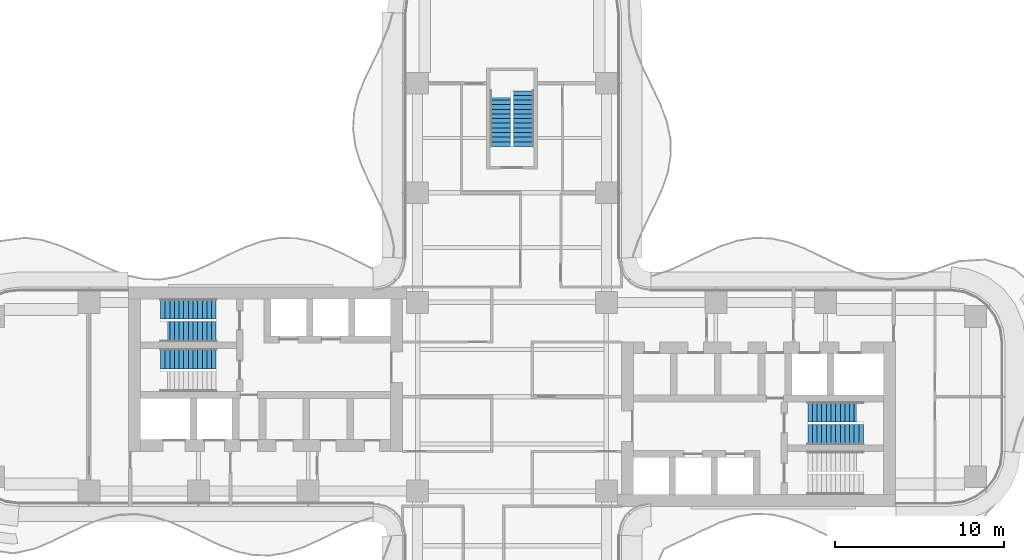
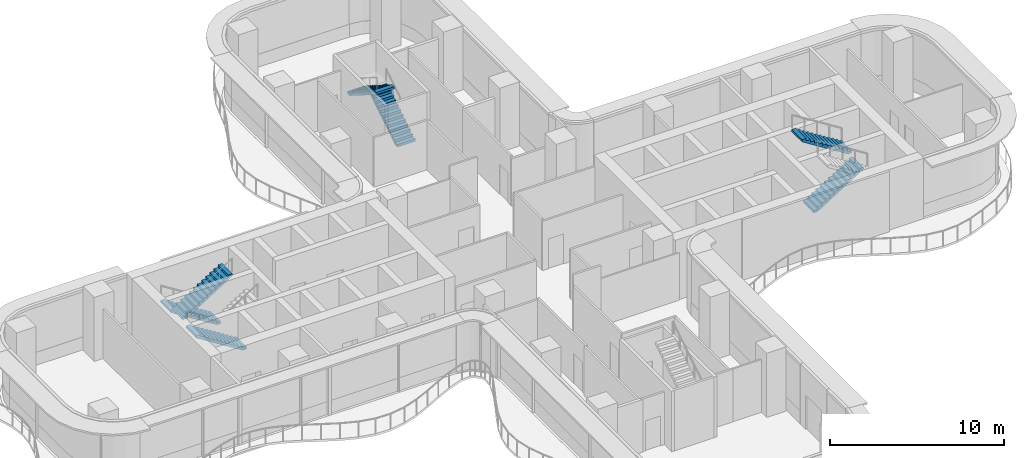
# One storey, part 19 of 21: 7 stair flights, 4 elements without a shape of their own.
"""IFC4 building model written with IfcOpenShell, lengths in metres."""

from ifc_helpers import new_model, si_unit, direction, frame, origin, place, context, subcontext, project, spatial, polyline, outline, extrude, source, transform, mapped, material, type_object, element, aggregate, save


model = new_model("IFC4")

# Units and contexts
model_context = context("Model", 3, precision=1e-05, world=origin(), true_north=direction((0.0, 1.0)))
body_context = subcontext(model_context, "Body", "Model", "MODEL_VIEW")
ifc_project = project(units=[si_unit("LENGTHUNIT", "METRE"), si_unit("AREAUNIT", "SQUARE_METRE"), si_unit("VOLUMEUNIT", "CUBIC_METRE"), si_unit("PLANEANGLEUNIT", "RADIAN"), si_unit("MASSUNIT", "GRAM", prefix="KILO")], contexts=[model_context])

# Site, building, storey
site_placement = place(None, origin())
site = spatial("IfcSite", under=ifc_project, at=site_placement, CompositionType="ELEMENT")
building_placement = place(site_placement, origin())
building = spatial("IfcBuilding", under=site, at=building_placement, Name="Trellis Farm Tower", CompositionType="ELEMENT")
storey_placement = place(building_placement, frame((0.0, 0.0, 106.5)))
storey = spatial("IfcBuildingStorey", under=building, at=storey_placement, Name="L22", CompositionType="ELEMENT", Elevation=106.5)

# Stair, stair flights
ifc_material = material(Name="Concrete C50/60", Category="concrete")
stair_type = type_object("IfcStairType", Name="CORE EXIT STAIR 26 RISERS 173 MM", PredefinedType="HALF_TURN_STAIR", material=ifc_material)
placement = place(storey_placement, origin())
stair_1 = element("IfcStair", 1, at=placement, inside=storey, type_object=stair_type, Name="Exit stair N", PredefinedType="HALF_TURN_STAIR")
stair_flight_type = type_object("IfcStairFlightType", Name="STAIR FLIGHT 13 RISERS 173 MM", PredefinedType="STRAIGHT", material=ifc_material)
shared_shape = source(origin(), body_context, "Body", "SweptSolid", [
    extrude(outline(polyline([(0.0, 0.0), (0.0, 0.173095703125), (0.27490234375, 0.173095703125), (0.27490234375, 0.34619140625), (0.550048828125, 0.34619140625), (0.550048828125, 0.519287109375), (0.824951171875, 0.519287109375), (0.824951171875, 0.6923828125), (1.10009765625, 0.6923828125), (1.10009765625, 0.865478515625), (1.375, 0.865478515625), (1.375, 1.03857421875), (1.64990234375, 1.03857421875), (1.64990234375, 1.21142578125), (1.925048828125, 1.21142578125), (1.925048828125, 1.384521484375), (2.199951171875, 1.384521484375), (2.199951171875, 1.5576171875), (2.47509765625, 1.5576171875), (2.47509765625, 1.730712890625), (2.75, 1.730712890625), (2.75, 1.90380859375), (3.02490234375, 1.90380859375), (3.02490234375, 2.076904296875), (3.300048828125, 2.076904296875), (3.300048828125, 2.25), (3.300048828125, 1.92333984375), (0.243896484375, 0.0), (0.0, 0.0)])), frame((0.0, 0.60009765625, 0.0), z_axis=(0.0, -1.0, 0.0), x_axis=(1.0, 0.0, 0.0)), (0.0, 0.0, 1.0), 1.199951171875),
])
stair_flight_1_placement = place(storey_placement, frame((0.699951171875, 14.85009765625, 0.0), z_axis=(0.0, 0.0, 1.0), x_axis=(0.0, 1.0, 0.0)))
stair_flight_1 = element("IfcStairFlight", 2, at=stair_flight_1_placement, type_object=stair_flight_type, Name="STN flight 1", NumberOfRisers=13, NumberOfTreads=12, PredefinedType="STRAIGHT", RiserHeight=0.173076923, TreadLength=0.275, context=body_context, shape_type="MappedRepresentation", body=[
    mapped(shared_shape, transform((0.0, 0.0, 0.0))),
])
stair_flight_2_placement = place(storey_placement, frame((-0.699951171875, 18.14990234375, 2.25), z_axis=(0.0, 0.0, 1.0), x_axis=(0.0, -1.0, 0.0)))
stair_flight_2 = element("IfcStairFlight", 3, at=stair_flight_2_placement, type_object=stair_flight_type, Name="STN flight 2", NumberOfRisers=13, NumberOfTreads=12, PredefinedType="STRAIGHT", RiserHeight=0.173076923, TreadLength=0.275, context=body_context, shape_type="MappedRepresentation", body=[
    mapped(shared_shape, transform((0.0, 0.0, 0.0))),
])
aggregate(stair_1, [stair_flight_1, stair_flight_2])

stair_2 = element("IfcStair", 4, at=placement, inside=storey, type_object=stair_type, Name="Exit stair E2", PredefinedType="HALF_TURN_STAIR")
stair_flight_3_placement = place(storey_placement, frame((17.550048828125, -2.25, 0.0), z_axis=(0.0, 0.0, 1.0), x_axis=(1.0, 0.0, 0.0)))
stair_flight_3 = element("IfcStairFlight", 5, at=stair_flight_3_placement, type_object=stair_flight_type, Name="STE2 flight 1", NumberOfRisers=13, NumberOfTreads=12, PredefinedType="STRAIGHT", RiserHeight=0.173076923, TreadLength=0.275, context=body_context, shape_type="MappedRepresentation", body=[
    mapped(shared_shape, transform((0.0, 0.0, 0.0))),
])
stair_flight_4_placement = place(storey_placement, frame((20.85009765625, -0.89990234375, 2.25), z_axis=(0.0, 0.0, 1.0), x_axis=(-1.0, 0.0, 0.0)))
stair_flight_4 = element("IfcStairFlight", 6, at=stair_flight_4_placement, type_object=stair_flight_type, Name="STE2 flight 2", NumberOfRisers=13, NumberOfTreads=12, PredefinedType="STRAIGHT", RiserHeight=0.173076923, TreadLength=0.275, context=body_context, shape_type="MappedRepresentation", body=[
    mapped(shared_shape, transform((0.0, 0.0, 0.0))),
])
aggregate(stair_2, [stair_flight_3, stair_flight_4])

stair_3 = element("IfcStair", 7, at=placement, inside=storey, type_object=stair_type, Name="Exit stair W1", PredefinedType="HALF_TURN_STAIR")
stair_flight_5_placement = place(storey_placement, frame((-17.550048828125, 5.199951171875, 0.0), z_axis=(0.0, 0.0, 1.0), x_axis=(-1.0, 0.0, 0.0)))
stair_flight_5 = element("IfcStairFlight", 8, at=stair_flight_5_placement, type_object=stair_flight_type, Name="STW1 flight 1", NumberOfRisers=13, NumberOfTreads=12, PredefinedType="STRAIGHT", RiserHeight=0.173076923, TreadLength=0.275, context=body_context, shape_type="MappedRepresentation", body=[
    mapped(shared_shape, transform((0.0, 0.0, 0.0))),
])
stair_flight_6_placement = place(storey_placement, frame((-20.85009765625, 3.85009765625, 2.25), z_axis=(0.0, 0.0, 1.0), x_axis=(1.0, 0.0, 0.0)))
stair_flight_6 = element("IfcStairFlight", 9, at=stair_flight_6_placement, type_object=stair_flight_type, Name="STW1 flight 2", NumberOfRisers=13, NumberOfTreads=12, PredefinedType="STRAIGHT", RiserHeight=0.173076923, TreadLength=0.275, context=body_context, shape_type="MappedRepresentation", body=[
    mapped(shared_shape, transform((0.0, 0.0, 0.0))),
])
aggregate(stair_3, [stair_flight_5, stair_flight_6])

# Stair, stair flight
stair_4 = element("IfcStair", 10, at=placement, inside=storey, type_object=stair_type, Name="Exit stair W2", PredefinedType="HALF_TURN_STAIR")
stair_flight_7_placement = place(storey_placement, frame((-17.550048828125, 2.25, 0.0), z_axis=(0.0, 0.0, 1.0), x_axis=(-1.0, 0.0, 0.0)))
stair_flight_7 = element("IfcStairFlight", 11, at=stair_flight_7_placement, type_object=stair_flight_type, Name="STW2 flight 1", NumberOfRisers=13, NumberOfTreads=12, PredefinedType="STRAIGHT", RiserHeight=0.173076923, TreadLength=0.275, context=body_context, shape_type="MappedRepresentation", body=[
    mapped(shared_shape, transform((0.0, 0.0, 0.0))),
])
aggregate(stair_4, [stair_flight_7])

save(model, "model.ifc")
